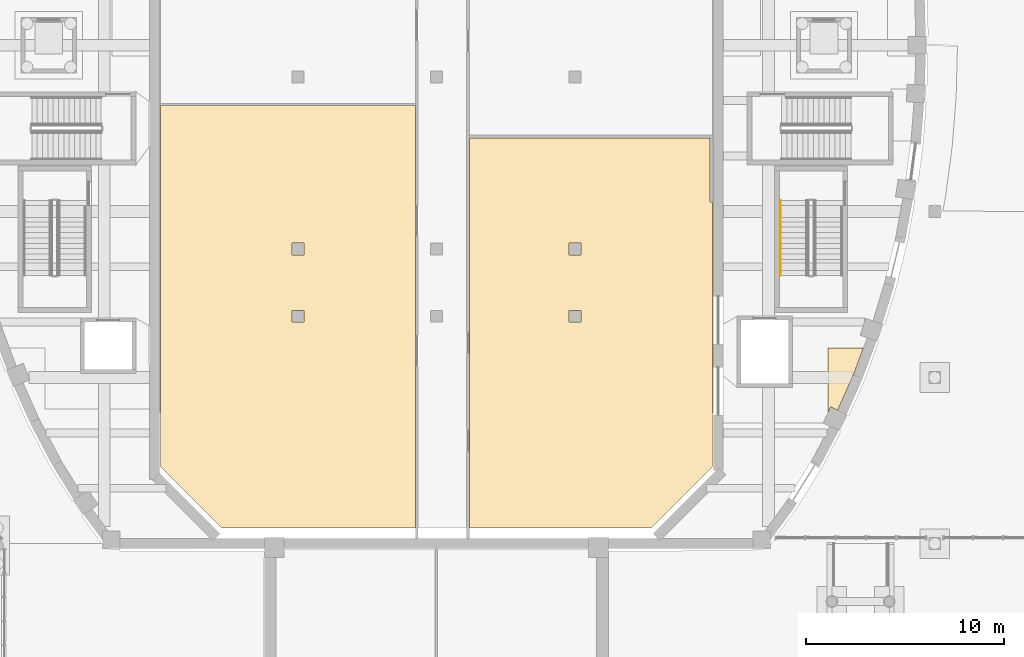
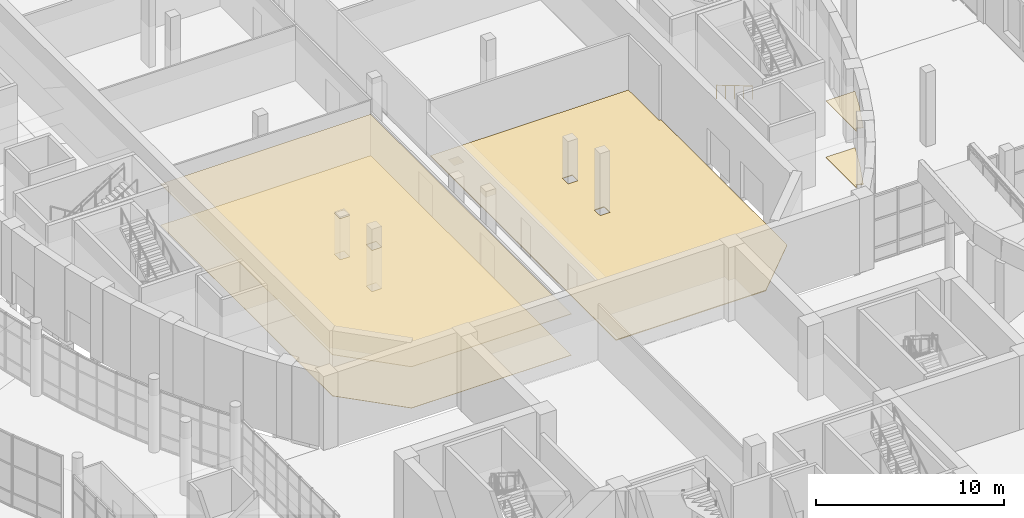
# One storey, part 94 of 110: 5 coverings, 1 railing.
"""IFC4 building model written with IfcOpenShell, lengths in metres."""

import ifcopenshell
import ifcopenshell.guid

model = None  # the IFC model being written
_history = None  # IfcOwnerHistory: only IFC2X3 demands one
_inside = {}  # id of a spatial element -> (the spatial element, [elements in it])
_under = {}  # id of a project, library or spatial element -> (it, [spatial elements below it])
_declared = {}  # id of a project -> (the project, [libraries it declares])
_typed = {}  # id of a type object -> (the type object, [elements of that type])
_made_of = {}  # id of a material, layer set ... -> (it, [elements and type objects made of it])


def new_model(schema):
    """Start an empty IFC model of exactly this schema.

    Asked for "IFC4X3", IfcOpenShell would pick the latest addendum, in which some entities
    have other attributes; the version numbers below select the first issue.
    IFC2X3 requires an IfcOwnerHistory on every rooted entity: one is made here for all.
    """
    global model, _history
    if schema == "IFC4X3":
        model = ifcopenshell.file(schema_version=(4, 3, 0, 0))
    else:
        model = ifcopenshell.file(schema=schema)
    _inside.clear()
    _under.clear()
    _declared.clear()
    _typed.clear()
    _made_of.clear()
    _history = None
    if model.schema == "IFC2X3":
        org = make("IfcOrganization", Name="unknown")
        user = make(
            "IfcPersonAndOrganization",
            ThePerson=make("IfcPerson", FamilyName="unknown"),
            TheOrganization=org,
        )
        app = make(
            "IfcApplication",
            ApplicationDeveloper=org,
            Version="unknown",
            ApplicationFullName="unknown",
            ApplicationIdentifier="unknown",
        )
        _history = make(
            "IfcOwnerHistory",
            OwningUser=user,
            OwningApplication=app,
            ChangeAction="ADDED",
            CreationDate=0,
        )
    return model


def make(cls, **values):
    """One entity of the class cls with the attributes given. An attribute that is None is left unset."""
    return model.create_entity(
        cls, **{name: value for name, value in values.items() if value is not None}
    )


def rooted(cls, **values):
    """An entity with a GlobalId (a new one), such as an element, a storey or a relation."""
    return make(cls, GlobalId=ifcopenshell.guid.new(), OwnerHistory=_history, **values)


def si_unit(unit_type, name, prefix=None):
    """IfcSIUnit, for example si_unit("LENGTHUNIT", "METRE", prefix="MILLI")."""
    return make("IfcSIUnit", UnitType=unit_type, Prefix=prefix, Name=name)


def assignment(units):
    """IfcUnitAssignment: the units of a project."""
    return None if units is None else make("IfcUnitAssignment", Units=units)


def point(xyz):
    """IfcCartesianPoint."""
    return None if xyz is None else make("IfcCartesianPoint", Coordinates=xyz)


def direction(xyz):
    """IfcDirection."""
    return None if xyz is None else make("IfcDirection", DirectionRatios=xyz)


def frame(location, z_axis=None, x_axis=None):
    """IfcAxis2Placement3D, a coordinate frame: its origin and axes. An axis left out is left unset."""
    return make(
        "IfcAxis2Placement3D",
        Location=point(location),
        Axis=direction(z_axis),
        RefDirection=direction(x_axis),
    )


def frame_2d(location, x_axis=None):
    """IfcAxis2Placement2D, a coordinate frame in the plane: its origin and x axis."""
    return make(
        "IfcAxis2Placement2D", Location=point(location), RefDirection=direction(x_axis)
    )


def origin():
    """The frame at (0, 0, 0) with its axes left unset."""
    return frame((0.0, 0.0, 0.0))


def origin_2d():
    """The frame at (0, 0) in the plane with its x axis left unset."""
    return frame_2d((0.0, 0.0))


def place(relative_to, where):
    """IfcLocalPlacement: puts the frame where relative to a parent placement (None: the world)."""
    return make(
        "IfcLocalPlacement", PlacementRelTo=relative_to, RelativePlacement=where
    )


def context(
    kind, dimensions, precision=None, world=None, true_north=None, identifier=None
):
    """IfcGeometricRepresentationContext, for example the 3D "Model" context."""
    return make(
        "IfcGeometricRepresentationContext",
        ContextIdentifier=identifier,
        ContextType=kind,
        CoordinateSpaceDimension=dimensions,
        Precision=precision,
        WorldCoordinateSystem=world,
        TrueNorth=true_north,
    )


def subcontext(parent, identifier, kind, view, scale=None):
    """IfcGeometricRepresentationSubContext, for example "Body" below "Model"."""
    return make(
        "IfcGeometricRepresentationSubContext",
        ContextIdentifier=identifier,
        ContextType=kind,
        ParentContext=parent,
        TargetScale=scale,
        TargetView=view,
    )


def project(units=None, contexts=None):
    """IfcProject with its units and contexts."""
    return rooted(
        "IfcProject",
        Name="project",
        RepresentationContexts=contexts,
        UnitsInContext=assignment(units),
    )


def spatial(cls, under=None, at=None, **own):
    """A site, building, storey or space (cls), placed at a placement, below another one or the project."""
    s = rooted(cls, ObjectPlacement=at, **own)
    if under is not None:
        _under.setdefault(under.id(), (under, []))[1].append(s)
    return s


def polyline(points):
    """IfcPolyline through the points."""
    return make("IfcPolyline", Points=[point(p) for p in points])


def profile(cls, at=None, kind="AREA", **sizes):
    """A parametric profile (cls). Its sizes go by their IFC names, for example OverallWidth=200.0."""
    return make(cls, ProfileType=kind, Position=at, **sizes)


def circle(**sizes):
    """IfcCircleProfileDef."""
    return profile("IfcCircleProfileDef", **sizes)


def outline(outer, holes=None, kind="AREA"):
    """IfcArbitraryClosedProfileDef: a profile drawn as a closed curve; with holes, ...WithVoids."""
    if holes is None:
        return make("IfcArbitraryClosedProfileDef", ProfileType=kind, OuterCurve=outer)
    return make(
        "IfcArbitraryProfileDefWithVoids",
        ProfileType=kind,
        OuterCurve=outer,
        InnerCurves=holes,
    )


def extrude(swept, where, along, depth):
    """IfcExtrudedAreaSolid: the profile swept, set in the frame where, extruded along a direction by depth."""
    return make(
        "IfcExtrudedAreaSolid",
        SweptArea=swept,
        Position=where,
        ExtrudedDirection=direction(along),
        Depth=depth,
    )


def shape(context_of_items, identifier, shape_type, items):
    """IfcShapeRepresentation: the items that make up one representation, for example the "Body"."""
    return make(
        "IfcShapeRepresentation",
        ContextOfItems=context_of_items,
        RepresentationIdentifier=identifier,
        RepresentationType=shape_type,
        Items=items,
    )


def material(Name=None, Category=None):
    """IfcMaterial."""
    return make("IfcMaterial", Name=Name, Category=Category)


def layer(
    of_material, thickness, ventilated=None, Name=None, Category=None, Priority=None
):
    """IfcMaterialLayer: one layer of a wall or slab, of a material (None: an air gap)."""
    return make(
        "IfcMaterialLayer",
        Material=of_material,
        LayerThickness=thickness,
        IsVentilated=ventilated,
        Name=Name,
        Category=Category,
        Priority=Priority,
    )


def layer_set(layers, Name=None):
    """IfcMaterialLayerSet."""
    return make("IfcMaterialLayerSet", MaterialLayers=layers, LayerSetName=Name)


def made_of(thing, what):
    """Note that an element or type object is made of a material, layer set ...; save() writes the relation."""
    if what is not None:
        _made_of.setdefault(what.id(), (what, []))[1].append(thing)
    return thing


def type_object(cls, material=None, **own):
    """A type object (cls), such as IfcWallType, which elements share."""
    return made_of(rooted(cls, **own), material)


def element(
    cls,
    number,
    at=None,
    inside=None,
    cuts=None,
    type_object=None,
    material=None,
    context=None,
    identifier="Body",
    shape_type=None,
    held_by="IfcProductDefinitionShape",
    body=None,
    shapes=None,
    **own,
):
    """One element of the class cls, such as IfcWall. Its Tag is "e" and its number.

    at: its placement. inside: the storey or other place that contains it. cuts: it is an
    opening in that element (IfcRelVoidsElement). A single representation is given by context,
    identifier, shape_type and body (its items); several are given by shapes. held_by: the class
    of the entity that holds the representations. save() writes the other relations.
    """
    e = rooted(cls, Tag="e%d" % number, ObjectPlacement=at, **own)
    if body is not None:
        shapes = [shape(context, identifier, shape_type, body)]
    if shapes is not None:
        e.Representation = make(held_by, Representations=shapes)
    if inside is not None:
        _inside.setdefault(inside.id(), (inside, []))[1].append(e)
    if cuts is not None:
        rooted(
            "IfcRelVoidsElement", RelatingBuildingElement=cuts, RelatedOpeningElement=e
        )
    if type_object is not None:
        _typed.setdefault(type_object.id(), (type_object, []))[1].append(e)
    return made_of(e, material)


def aggregate(whole, parts):
    """IfcRelAggregates: a whole, such as a stair, and the parts it consists of."""
    return rooted("IfcRelAggregates", RelatingObject=whole, RelatedObjects=parts)


def save(model, path):
    """Write the relations noted so far, then the file.

    IfcRelAggregates (storeys below a building ...), IfcRelContainedInSpatialStructure (elements
    in a storey), IfcRelDefinesByType, IfcRelAssociatesMaterial and IfcRelDeclares: one each for
    every whole, place, type object, material and project.
    """
    for whole, parts in _under.values():
        aggregate(whole, parts)
    for where, things in _inside.values():
        rooted(
            "IfcRelContainedInSpatialStructure",
            RelatedElements=things,
            RelatingStructure=where,
        )
    for kind, things in _typed.values():
        rooted("IfcRelDefinesByType", RelatedObjects=things, RelatingType=kind)
    for what, things in _made_of.values():
        rooted("IfcRelAssociatesMaterial", RelatedObjects=things, RelatingMaterial=what)
    for by, libraries in _declared.values():
        rooted("IfcRelDeclares", RelatingContext=by, RelatedDefinitions=libraries)
    model.write(path)


model = new_model("IFC4")

# Units and contexts
model_context = context("Model", 3, precision=1e-05, world=origin(), true_north=direction((0.0, 1.0)))
body_context = subcontext(model_context, "Body", "Model", "MODEL_VIEW")
ifc_project = project(units=[si_unit("LENGTHUNIT", "METRE"), si_unit("AREAUNIT", "SQUARE_METRE"), si_unit("VOLUMEUNIT", "CUBIC_METRE"), si_unit("PLANEANGLEUNIT", "RADIAN"), si_unit("MASSUNIT", "GRAM", prefix="KILO")], contexts=[model_context])

# Site, building, storey
site_placement = place(None, origin())
site = spatial("IfcSite", under=ifc_project, at=site_placement, CompositionType="ELEMENT")
building_placement = place(site_placement, origin())
building = spatial("IfcBuilding", under=site, at=building_placement, Name="Larchfold Concert Hall", CompositionType="ELEMENT")
storey_placement = place(building_placement, origin())
storey = spatial("IfcBuildingStorey", under=building, at=storey_placement, Name="L00", CompositionType="ELEMENT", Elevation=0.0)

# Coverings
ifc_material_1 = material(Name="Plasterboard ceiling lining")
ifc_layer_1 = layer(ifc_material_1, 0.030029296875)
ifc_layer_set_1 = layer_set([ifc_layer_1], Name="Plasterboard ceiling lining")
covering_type_1 = type_object("IfcCoveringType", Name="Ceiling suspended plasterboard 30", PredefinedType="CEILING", material=ifc_layer_set_1)
covering_1_placement = place(storey_placement, frame((0.0, 0.0, 2.670166015625)))
element("IfcCovering", 1, at=covering_1_placement, inside=storey, type_object=covering_type_1, Name="Ceiling Cloakroom", PredefinedType="CEILING", context=body_context, shape_type="SweptSolid", body=[
    extrude(outline(polyline([(41.534912109375, 81.550048828125), (28.650146484375, 81.552978515625), (28.650146484375, 63.27783203125), (31.727783203125, 60.199951171875), (41.53759765625, 60.199951171875), (41.53759765625, 81.60009765625), (41.534912109375, 81.550048828125)]), holes=[polyline([(35.300048828125, 70.599853515625), (35.300048828125, 71.199951171875), (35.900146484375, 71.199951171875), (35.900146484375, 70.599853515625), (35.300048828125, 70.599853515625)]), polyline([(35.900146484375, 74.0), (35.300048828125, 74.0), (35.300048828125, 74.60009765625), (35.900146484375, 74.60009765625), (35.900146484375, 74.0)])]), origin(), (0.0, 0.0, 1.0), 0.030029296875),
])
covering_2_placement = place(storey_placement, frame((0.0, 0.0, 3.670166015625)))
element("IfcCovering", 2, at=covering_2_placement, inside=storey, type_object=covering_type_1, Name="Ceiling Hall Foyer South East", PredefinedType="CEILING", context=body_context, shape_type="SweptSolid", body=[
    extrude(outline(polyline([(62.88623046875, 66.142333984375), (63.69287109375, 67.953369140625), (64.19384765625, 69.300048828125), (62.400146484375, 69.300048828125), (62.400146484375, 66.0224609375), (62.53955078125, 66.310302734375), (62.88623046875, 66.142333984375)])), origin(), (0.0, 0.0, 1.0), 0.030029296875),
])
ifc_material_2 = material(Name="Sealed cement screed")
ifc_layer_2 = layer(ifc_material_2, 0.050048828125)
ifc_layer_set_2 = layer_set([ifc_layer_2], Name="Sealed cement screed")
covering_type_2 = type_object("IfcCoveringType", Name="Floor finish sealed screed 50", PredefinedType="FLOORING", material=ifc_layer_set_2)
covering_3_placement = place(storey_placement, origin())
element("IfcCovering", 3, at=covering_3_placement, inside=storey, type_object=covering_type_2, Name="Floor finish Hall Plant Room 01", PredefinedType="FLOORING", context=body_context, shape_type="SweptSolid", body=[
    extrude(outline(polyline([(44.27490234375, 60.199951171875), (53.47216796875, 60.199951171875), (56.550048828125, 63.27783203125), (56.550048828125, 76.68408203125), (56.425048828125, 76.68408203125), (56.425048828125, 79.925048828125), (44.27490234375, 79.925048828125), (44.27490234375, 60.199951171875)]), holes=[polyline([(49.300048828125, 74.0), (49.300048828125, 74.60009765625), (49.900146484375, 74.60009765625), (49.900146484375, 74.0), (49.300048828125, 74.0)]), polyline([(49.900146484375, 70.599853515625), (49.300048828125, 70.599853515625), (49.300048828125, 71.199951171875), (49.900146484375, 71.199951171875), (49.900146484375, 70.599853515625)])]), origin(), (0.0, 0.0, 1.0), 0.050048828125),
])
ifc_material_3 = material(Name="Polished terrazzo")
ifc_layer_3 = layer(ifc_material_3, 0.0400390625)
ifc_layer_set_3 = layer_set([ifc_layer_3], Name="Polished terrazzo")
covering_type_3 = type_object("IfcCoveringType", Name="Floor finish terrazzo 40", PredefinedType="FLOORING", material=ifc_layer_set_3)
covering_4_placement = place(storey_placement, origin())
element("IfcCovering", 4, at=covering_4_placement, inside=storey, type_object=covering_type_3, Name="Floor finish Hall Foyer South East", PredefinedType="FLOORING", context=body_context, shape_type="SweptSolid", body=[
    extrude(outline(polyline([(62.88623046875, 66.142333984375), (63.69287109375, 67.953369140625), (64.19384765625, 69.300048828125), (62.400146484375, 69.300048828125), (62.400146484375, 66.0224609375), (62.53955078125, 66.310302734375), (62.88623046875, 66.142333984375)])), origin(), (0.0, 0.0, 1.0), 0.0400390625),
])
ifc_material_4 = material(Name="Linoleum sheet")
ifc_layer_4 = layer(ifc_material_4, 0.02001953125)
ifc_layer_set_4 = layer_set([ifc_layer_4], Name="Linoleum sheet")
covering_type_4 = type_object("IfcCoveringType", Name="Floor finish vinyl 20", PredefinedType="FLOORING", material=ifc_layer_set_4)
covering_5_placement = place(storey_placement, origin())
element("IfcCovering", 5, at=covering_5_placement, inside=storey, type_object=covering_type_4, Name="Floor finish Cloakroom", PredefinedType="FLOORING", context=body_context, shape_type="SweptSolid", body=[
    extrude(outline(polyline([(41.534912109375, 81.550048828125), (28.650146484375, 81.552978515625), (28.650146484375, 63.27783203125), (31.727783203125, 60.199951171875), (41.53759765625, 60.199951171875), (41.53759765625, 81.60009765625), (41.534912109375, 81.550048828125)]), holes=[polyline([(35.300048828125, 70.599853515625), (35.300048828125, 71.199951171875), (35.900146484375, 71.199951171875), (35.900146484375, 70.599853515625), (35.300048828125, 70.599853515625)]), polyline([(35.900146484375, 74.0), (35.300048828125, 74.0), (35.300048828125, 74.60009765625), (35.900146484375, 74.60009765625), (35.900146484375, 74.0)])]), origin(), (0.0, 0.0, 1.0), 0.02001953125),
])

# Railing
ifc_material_5 = material(Name="Stainless steel handrail", Category="steel")
railing_type = type_object("IfcRailingType", Name="Stair handrail 900", PredefinedType="HANDRAIL", material=ifc_material_5)
railing_placement = place(storey_placement, frame((60.0, 76.75, 0.159912109375)))
element("IfcRailing", 6, at=railing_placement, inside=storey, type_object=railing_type, Name="Handrail HR0021", PredefinedType="HANDRAIL", context=body_context, shape_type="SweptSolid", body=[
    extrude(circle(Radius=0.02392578125, at=origin_2d()), frame((0.0, 0.0, 0.8759765625), z_axis=(0.0, -0.860294241299, 0.509797821089), x_axis=(1.0, 0.0, 0.0)), (0.0, 0.0, 1.0), 4.393798828125),
    extrude(circle(Radius=0.02099609375, at=origin_2d()), origin(), (0.0, 0.0, 1.0), 0.851806640625),
    extrude(circle(Radius=0.02099609375, at=origin_2d()), frame((0.0, -0.945068359375, 0.56005859375)), (0.0, 0.0, 1.0), 0.851806640625),
    extrude(circle(Radius=0.02099609375, at=origin_2d()), frame((0.0, -1.89013671875, 1.1201171875)), (0.0, 0.0, 1.0), 0.851806640625),
    extrude(circle(Radius=0.02099609375, at=origin_2d()), frame((0.0, -2.8349609375, 1.679931640625)), (0.0, 0.0, 1.0), 0.851806640625),
    extrude(circle(Radius=0.02099609375, at=origin_2d()), frame((0.0, -3.780029296875, 2.239990234375)), (0.0, 0.0, 1.0), 0.851806640625),
])

save(model, "model.ifc")
